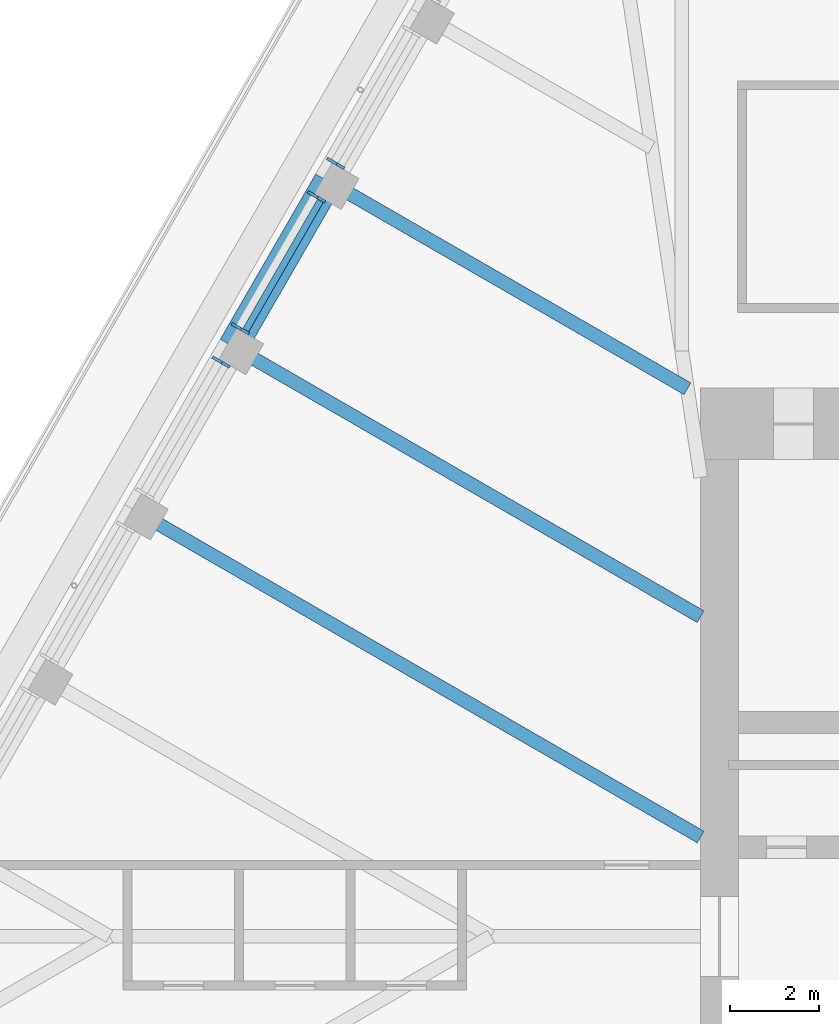
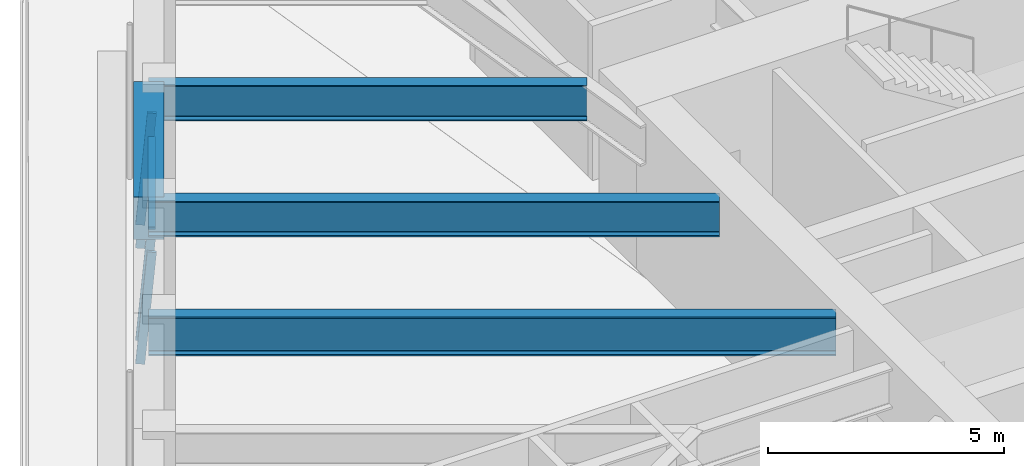
# One storey, part 7 of 19: 5 members, 4 beams, 3 elements without a shape of their own.
"""IFC4 building model written with IfcOpenShell, lengths in metres."""

from ifc_helpers import new_model, si_unit, direction, frame, origin, origin_2d, place, context, subcontext, project, spatial, rectangle, i_section, extrude, material, material_profile, profile_set, type_object, element, aggregate, save


model = new_model("IFC4")

# Units and contexts
model_context = context("Model", 3, precision=1e-05, world=origin(), true_north=direction((0.0, 1.0)))
body_context = subcontext(model_context, "Body", "Model", "MODEL_VIEW")
ifc_project = project(units=[si_unit("LENGTHUNIT", "METRE"), si_unit("AREAUNIT", "SQUARE_METRE"), si_unit("VOLUMEUNIT", "CUBIC_METRE"), si_unit("PLANEANGLEUNIT", "RADIAN"), si_unit("MASSUNIT", "GRAM", prefix="KILO")], contexts=[model_context])

# Site, building, storey
site_placement = place(None, origin())
site = spatial("IfcSite", under=ifc_project, at=site_placement, CompositionType="ELEMENT")
building_placement = place(site_placement, origin())
building = spatial("IfcBuilding", under=site, at=building_placement, Name="Tarfa Lantern Tower", CompositionType="ELEMENT")
storey_placement = place(building_placement, frame((0.0, 0.0, 387.10009765625)))
storey = spatial("IfcBuildingStorey", under=building, at=storey_placement, Name="L88", CompositionType="ELEMENT", Elevation=387.10009765625)

# Curtain wall, member
ifc_material_1 = material(Name="Aluminium framed curtain wall", Category="aluminium")
curtain_wall_type = type_object("IfcCurtainWallType", Name="CW4 CANTED GLAZING EXECUTIVE ZONE 2900", PredefinedType="USERDEFINED", material=ifc_material_1)
curtain_wall_1_placement = place(storey_placement, origin())
curtain_wall_1 = element("IfcCurtainWall", 1, at=curtain_wall_1_placement, inside=storey, type_object=curtain_wall_type, Name="CW4 NW L88", ObjectType="CURTAIN WALL", PredefinedType="USERDEFINED")
ifc_material_2 = material(Name="Aluminium mullion", Category="aluminium")
ifc_material_profile_1 = material_profile(ifc_material_2, rectangle(XDim=0.06494140625, YDim=0.199951171875, at=origin_2d()), Name="AL MULLION 65x200")
ifc_profile_set_1 = profile_set([ifc_material_profile_1], Name="Aluminium mullion")
member_type_1 = type_object("IfcMemberType", Name="CWM1 MULLION 65x200", PredefinedType="MULLION", material=ifc_profile_set_1)
member_1_placement = place(storey_placement, frame((-20.722412109375, 17.407958984375, 0.0), z_axis=(0.074399820079, -0.042945555672, 0.996303340364), x_axis=(0.499919672301, 0.866071776036, 0.0)))
member_1 = element("IfcMember", 2, at=member_1_placement, type_object=member_type_1, Name="CW4 mullion 2", PredefinedType="MULLION", context=body_context, shape_type="SweptSolid", body=[
    extrude(rectangle(XDim=0.06494140625, YDim=0.199951171875, at=origin_2d()), origin(), (0.0, 0.0, 1.0), 2.91064453125),
])
aggregate(curtain_wall_1, [member_1])

# Curtain wall, members
curtain_wall_2_placement = place(storey_placement, origin())
curtain_wall_2 = element("IfcCurtainWall", 3, at=curtain_wall_2_placement, inside=storey, type_object=curtain_wall_type, Name="CW4 NW L88", ObjectType="CURTAIN WALL", PredefinedType="USERDEFINED")
member_2_placement = place(storey_placement, frame((-21.15478515625, 16.65869140625, 0.0), z_axis=(0.074399820079, -0.042945555672, 0.996303340364), x_axis=(0.499919672301, 0.866071776036, 0.0)))
member_2 = element("IfcMember", 4, at=member_2_placement, type_object=member_type_1, Name="CW4 mullion 1", PredefinedType="MULLION", context=body_context, shape_type="SweptSolid", body=[
    extrude(rectangle(XDim=0.06494140625, YDim=0.199951171875, at=origin_2d()), origin(), (0.0, 0.0, 1.0), 2.91064453125),
])
member_3_placement = place(storey_placement, frame((-22.86328125, 13.699462890625, 0.0), z_axis=(0.074399820079, -0.042945555672, 0.996303340364), x_axis=(0.499919672301, 0.866071776036, 0.0)))
member_3 = element("IfcMember", 5, at=member_3_placement, type_object=member_type_1, Name="CW4 mullion 2", PredefinedType="MULLION", context=body_context, shape_type="SweptSolid", body=[
    extrude(rectangle(XDim=0.06494140625, YDim=0.199951171875, at=origin_2d()), origin(), (0.0, 0.0, 1.0), 2.91064453125),
])

# Curtain wall, member
curtain_wall_3_placement = place(storey_placement, origin())
curtain_wall_3 = element("IfcCurtainWall", 6, at=curtain_wall_3_placement, inside=storey, type_object=curtain_wall_type, Name="CW4 NW L88", ObjectType="CURTAIN WALL", PredefinedType="USERDEFINED")
member_4_placement = place(storey_placement, frame((-23.2958984375, 12.950439453125, 0.0), z_axis=(0.074399820079, -0.042945555672, 0.996303340364), x_axis=(0.499919672301, 0.866071776036, 0.0)))
member_4 = element("IfcMember", 7, at=member_4_placement, type_object=member_type_1, Name="CW4 mullion 1", PredefinedType="MULLION", context=body_context, shape_type="SweptSolid", body=[
    extrude(rectangle(XDim=0.06494140625, YDim=0.199951171875, at=origin_2d()), origin(), (0.0, 0.0, 1.0), 2.91064453125),
])
aggregate(curtain_wall_3, [member_4])

# Member
ifc_material_3 = material(Name="Aluminium transom", Category="aluminium")
ifc_material_profile_2 = material_profile(ifc_material_3, rectangle(XDim=0.14990234375, YDim=0.06494140625, at=origin_2d()), Name="AL TRANSOM 150x65")
ifc_profile_set_2 = profile_set([ifc_material_profile_2], Name="Aluminium transom")
member_type_2 = type_object("IfcMemberType", Name="CWT1 TRANSOM 150x65", PredefinedType="USERDEFINED", material=ifc_profile_set_2)
member_5_placement = place(storey_placement, frame((-20.95703125, 16.507080078125, 2.867431640625), z_axis=(-0.499985139611, -0.866033983264, 0.0), x_axis=(0.866033983264, -0.499985139611, 0.0)))
member_5 = element("IfcMember", 8, at=member_5_placement, type_object=member_type_2, Name="CW4 transom 1.2", ObjectType="TRANSOM", PredefinedType="USERDEFINED", context=body_context, shape_type="SweptSolid", body=[
    extrude(rectangle(XDim=0.14990234375, YDim=0.06494140625, at=origin_2d()), origin(), (0.0, 0.0, 1.0), 3.35205078125),
])

aggregate(curtain_wall_2, [member_2, member_3, member_5])

# Beams
ifc_material_4 = material(Name="Concrete C80/95", Category="concrete")
ifc_material_profile_3 = material_profile(ifc_material_4, rectangle(XDim=0.64990234375, YDim=1.10009765625, at=origin_2d()), Name="RC 650x1100")
ifc_profile_set_3 = profile_set([ifc_material_profile_3], Name="Concrete C80/95")
beam_type_1 = type_object("IfcBeamType", Name="EB4 RC 650x1100", PredefinedType="SPANDREL", material=ifc_profile_set_3)
beam_1_placement = place(storey_placement, frame((-20.78271484375, 16.943359375, 3.449951171875), z_axis=(-0.499984039138, -0.866034618596, 0.0), x_axis=(0.866034618596, -0.499984039138, 0.0)))
element("IfcBeam", 9, at=beam_1_placement, inside=storey, type_object=beam_type_1, Name="Edge beam NW2", PredefinedType="SPANDREL", context=body_context, shape_type="SweptSolid", body=[
    extrude(rectangle(XDim=0.64990234375, YDim=1.10009765625, at=origin_2d()), origin(), (0.0, 0.0, 1.0), 4.281982421875),
])
ifc_material_5 = material(Name="Steel S460M", Category="steel")
ifc_material_profile_4 = material_profile(ifc_material_5, i_section(OverallWidth=0.302001953125, OverallDepth=1.008056640625, WebThickness=0.02099609375, FlangeThickness=0.0400390625, FilletRadius=0.030029296875, at=origin_2d()), Name="UB1016x305x349")
ifc_profile_set_4 = profile_set([ifc_material_profile_4], Name="Steel S460M")
beam_type_2 = type_object("IfcBeamType", Name="UB1016x305x349", PredefinedType="BEAM", material=ifc_profile_set_4)
beam_2_placement = place(storey_placement, frame((-25.064697265625, 9.526611328125, 3.495849609375), z_axis=(0.866029591389, -0.499992746786, 0.0), x_axis=(0.499992746786, 0.866029591389, 0.0)))
element("IfcBeam", 10, at=beam_2_placement, inside=storey, type_object=beam_type_2, Name="Floor beam NW4", PredefinedType="BEAM", context=body_context, shape_type="SweptSolid", body=[
    extrude(i_section(OverallWidth=0.302001953125, OverallDepth=1.008056640625, WebThickness=0.02099609375, FlangeThickness=0.0400390625, FilletRadius=0.030029296875, at=origin_2d()), origin(), (0.0, 0.0, 1.0), 14.594970703125),
])
ifc_material_profile_5 = material_profile(ifc_material_5, i_section(OverallWidth=0.305419921875, OverallDepth=0.91845703125, WebThickness=0.017333984375, FlangeThickness=0.02783203125, FilletRadius=0.01904296875, at=origin_2d()), Name="UB914x305x253")
ifc_profile_set_5 = profile_set([ifc_material_profile_5], Name="Steel S460M")
beam_type_3 = type_object("IfcBeamType", Name="UB914x305x253", PredefinedType="BEAM", material=ifc_profile_set_5)
beam_3_placement = place(storey_placement, frame((-20.78271484375, 16.943359375, 3.540771484375), z_axis=(0.866021806508, -0.500006230613, 0.0), x_axis=(0.500006230613, 0.866021806508, 0.0)))
element("IfcBeam", 11, at=beam_3_placement, inside=storey, type_object=beam_type_3, Name="Floor beam NW2", PredefinedType="BEAM", context=body_context, shape_type="SweptSolid", body=[
    extrude(i_section(OverallWidth=0.305419921875, OverallDepth=0.91845703125, WebThickness=0.017333984375, FlangeThickness=0.02783203125, FilletRadius=0.01904296875, at=origin_2d()), origin(), (0.0, 0.0, 1.0), 9.30908203125),
])
beam_4_placement = place(storey_placement, frame((-22.923583984375, 13.235107421875, 3.540771484375), z_axis=(0.86601856927, -0.500011837539, 0.0), x_axis=(0.500011837539, 0.86601856927, 0.0)))
element("IfcBeam", 12, at=beam_4_placement, inside=storey, type_object=beam_type_3, Name="Floor beam NW3", PredefinedType="BEAM", context=body_context, shape_type="SweptSolid", body=[
    extrude(i_section(OverallWidth=0.305419921875, OverallDepth=0.91845703125, WebThickness=0.017333984375, FlangeThickness=0.02783203125, FilletRadius=0.01904296875, at=origin_2d()), origin(), (0.0, 0.0, 1.0), 12.122802734375),
])

save(model, "model.ifc")
